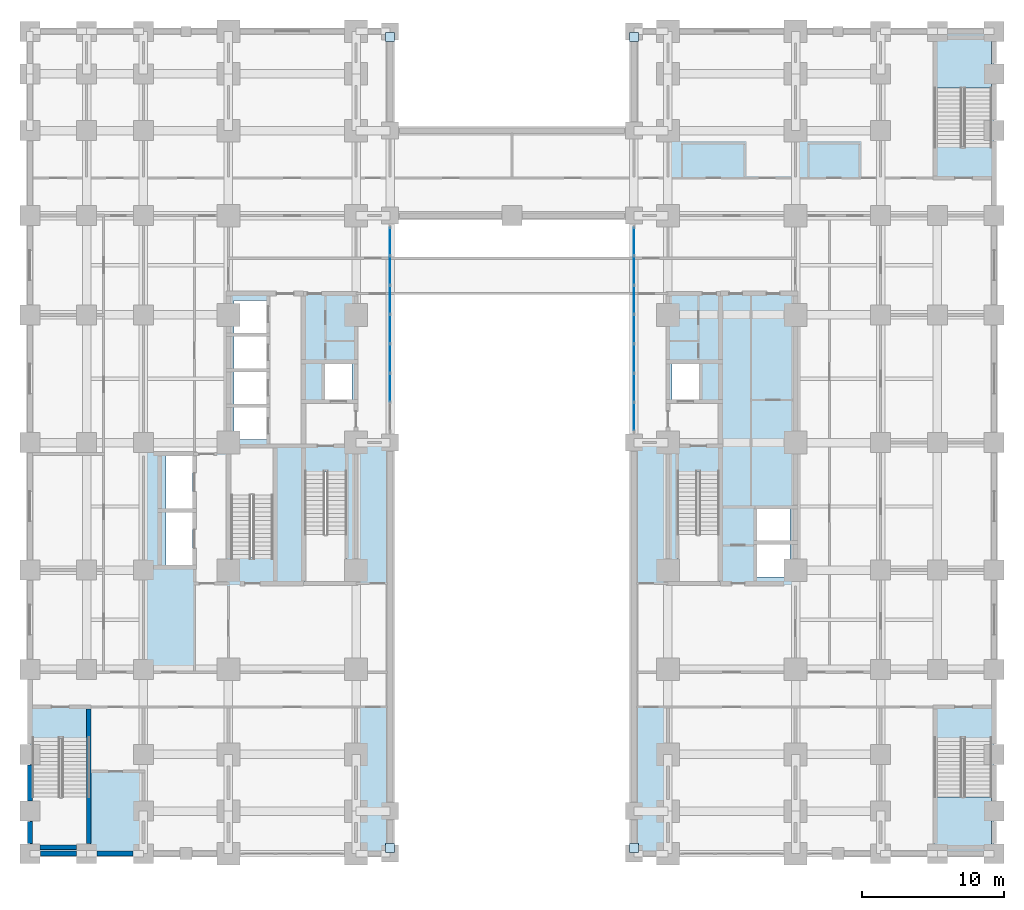
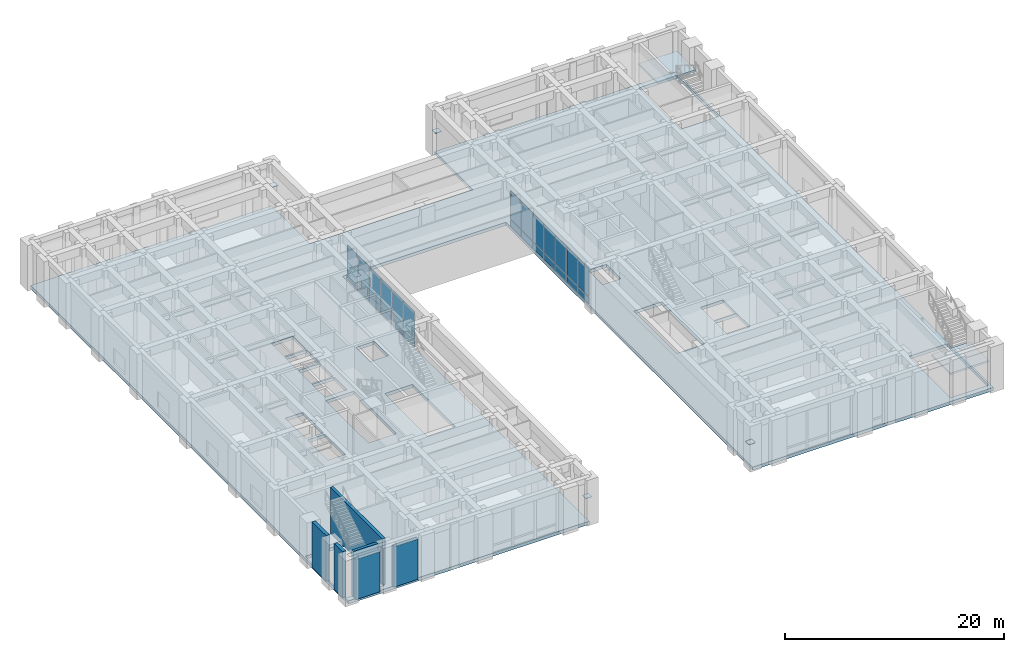
# One storey, part 7 of 21: 30 plates, 6 walls, 3 slabs, 4 elements without a shape of their own.
"""IFC4 building model written with IfcOpenShell, lengths in metres."""

from ifc_helpers import new_model, si_unit, direction, frame, frame_2d, origin, origin_2d, place, context, subcontext, project, spatial, polyline, rectangle, outline, extrude, material, layer, layer_set, type_object, element, aggregate, save


model = new_model("IFC4")

# Units and contexts
model_context = context("Model", 3, precision=1e-05, world=origin(), true_north=direction((0.0, 1.0)))
body_context = subcontext(model_context, "Body", "Model", "MODEL_VIEW")
ifc_project = project(units=[si_unit("LENGTHUNIT", "METRE"), si_unit("AREAUNIT", "SQUARE_METRE"), si_unit("VOLUMEUNIT", "CUBIC_METRE"), si_unit("PLANEANGLEUNIT", "RADIAN"), si_unit("MASSUNIT", "GRAM", prefix="KILO")], contexts=[model_context])

# Site, building, storey
site_placement = place(None, origin())
site = spatial("IfcSite", under=ifc_project, at=site_placement, CompositionType="ELEMENT")
building_placement = place(site_placement, origin())
building = spatial("IfcBuilding", under=site, at=building_placement, Name="Zulmaris Gate Convention Tower", CompositionType="ELEMENT")
storey_placement = place(building_placement, frame((0.0, 0.0, 5.43994140625)))
storey = spatial("IfcBuildingStorey", under=building, at=storey_placement, Name="L01", CompositionType="ELEMENT", Elevation=5.43994140625)

# Curtain wall, plates
ifc_material_1 = material(Name="Anodised Aluminium", Category="aluminium")
curtain_wall_type = type_object("IfcCurtainWallType", Name="CW-02", PredefinedType="NOTDEFINED", material=ifc_material_1)
curtain_wall_1_placement = place(storey_placement, origin())
curtain_wall_1 = element("IfcCurtainWall", 1, at=curtain_wall_1_placement, inside=storey, type_object=curtain_wall_type, Name="CW-02 CW02-L01-WL_0", PredefinedType="NOTDEFINED")
ifc_material_2 = material(Name="Low-E Double Glazing", Category="glass")
ifc_layer_1 = layer(ifc_material_2, 0.028076171875, Name="Low-E Double Glazing")
ifc_layer_set_1 = layer_set([ifc_layer_1], Name="Low-E Double Glazing")
plate_type_1 = type_object("IfcPlateType", Name="CW-02-VISION", PredefinedType="CURTAIN_PANEL", material=ifc_layer_set_1)
plate_1_placement = place(storey_placement, frame((-8.60009765625, 3.86279296875, 0.08984375), z_axis=(0.0, 0.0, 1.0), x_axis=(0.0, 1.0, 0.0)))
plate_1 = element("IfcPlate", 2, at=plate_1_placement, type_object=plate_type_1, Name="CW-02 panel 2.1", PredefinedType="CURTAIN_PANEL", context=body_context, shape_type="SweptSolid", body=[
    extrude(rectangle(XDim=1.978515625, YDim=0.028076171875, at=origin_2d()), origin(), (0.0, 0.0, 1.0), 0.715087890625),
])
plate_2_placement = place(storey_placement, frame((-8.60009765625, 3.86279296875, 0.89501953125), z_axis=(0.0, 0.0, 1.0), x_axis=(0.0, 1.0, 0.0)))
plate_2 = element("IfcPlate", 3, at=plate_2_placement, type_object=plate_type_1, Name="CW-02 panel 2.2", PredefinedType="CURTAIN_PANEL", context=body_context, shape_type="SweptSolid", body=[
    extrude(rectangle(XDim=1.978515625, YDim=0.028076171875, at=origin_2d()), origin(), (0.0, 0.0, 1.0), 3.14697265625),
])
plate_3_placement = place(storey_placement, frame((-8.60009765625, 5.931396484375, 0.08984375), z_axis=(0.0, 0.0, 1.0), x_axis=(0.0, 1.0, 0.0)))
plate_3 = element("IfcPlate", 4, at=plate_3_placement, type_object=plate_type_1, Name="CW-02 panel 3.1", PredefinedType="CURTAIN_PANEL", context=body_context, shape_type="SweptSolid", body=[
    extrude(rectangle(XDim=1.978515625, YDim=0.028076171875, at=origin_2d()), origin(), (0.0, 0.0, 1.0), 0.715087890625),
])
plate_4_placement = place(storey_placement, frame((-8.60009765625, 5.931396484375, 0.89501953125), z_axis=(0.0, 0.0, 1.0), x_axis=(0.0, 1.0, 0.0)))
plate_4 = element("IfcPlate", 5, at=plate_4_placement, type_object=plate_type_1, Name="CW-02 panel 3.2", PredefinedType="CURTAIN_PANEL", context=body_context, shape_type="SweptSolid", body=[
    extrude(rectangle(XDim=1.978515625, YDim=0.028076171875, at=origin_2d()), origin(), (0.0, 0.0, 1.0), 3.14697265625),
])
plate_5_placement = place(storey_placement, frame((-8.60009765625, 8.0, 0.08984375), z_axis=(0.0, 0.0, 1.0), x_axis=(0.0, 1.0, 0.0)))
plate_5 = element("IfcPlate", 6, at=plate_5_placement, type_object=plate_type_1, Name="CW-02 panel 4.1", PredefinedType="CURTAIN_PANEL", context=body_context, shape_type="SweptSolid", body=[
    extrude(rectangle(XDim=1.978515625, YDim=0.028076171875, at=origin_2d()), origin(), (0.0, 0.0, 1.0), 0.715087890625),
])
plate_6_placement = place(storey_placement, frame((-8.60009765625, 8.0, 0.89501953125), z_axis=(0.0, 0.0, 1.0), x_axis=(0.0, 1.0, 0.0)))
plate_6 = element("IfcPlate", 7, at=plate_6_placement, type_object=plate_type_1, Name="CW-02 panel 4.2", PredefinedType="CURTAIN_PANEL", context=body_context, shape_type="SweptSolid", body=[
    extrude(rectangle(XDim=1.978515625, YDim=0.028076171875, at=origin_2d()), origin(), (0.0, 0.0, 1.0), 3.14697265625),
])
plate_7_placement = place(storey_placement, frame((-8.60009765625, 10.068603515625, 0.08984375), z_axis=(0.0, 0.0, 1.0), x_axis=(0.0, 1.0, 0.0)))
plate_7 = element("IfcPlate", 8, at=plate_7_placement, type_object=plate_type_1, Name="CW-02 panel 5.1", PredefinedType="CURTAIN_PANEL", context=body_context, shape_type="SweptSolid", body=[
    extrude(rectangle(XDim=1.978515625, YDim=0.028076171875, at=origin_2d()), origin(), (0.0, 0.0, 1.0), 0.715087890625),
])
plate_8_placement = place(storey_placement, frame((-8.60009765625, 10.068603515625, 0.89501953125), z_axis=(0.0, 0.0, 1.0), x_axis=(0.0, 1.0, 0.0)))
plate_8 = element("IfcPlate", 9, at=plate_8_placement, type_object=plate_type_1, Name="CW-02 panel 5.2", PredefinedType="CURTAIN_PANEL", context=body_context, shape_type="SweptSolid", body=[
    extrude(rectangle(XDim=1.978515625, YDim=0.028076171875, at=origin_2d()), origin(), (0.0, 0.0, 1.0), 3.14697265625),
])
plate_9_placement = place(storey_placement, frame((-8.60009765625, 12.13720703125, 0.08984375), z_axis=(0.0, 0.0, 1.0), x_axis=(0.0, 1.0, 0.0)))
plate_9 = element("IfcPlate", 10, at=plate_9_placement, type_object=plate_type_1, Name="CW-02 panel 6.1", PredefinedType="CURTAIN_PANEL", context=body_context, shape_type="SweptSolid", body=[
    extrude(rectangle(XDim=1.978515625, YDim=0.028076171875, at=origin_2d()), origin(), (0.0, 0.0, 1.0), 0.715087890625),
])
plate_10_placement = place(storey_placement, frame((-8.60009765625, 12.13720703125, 0.89501953125), z_axis=(0.0, 0.0, 1.0), x_axis=(0.0, 1.0, 0.0)))
plate_10 = element("IfcPlate", 11, at=plate_10_placement, type_object=plate_type_1, Name="CW-02 panel 6.2", PredefinedType="CURTAIN_PANEL", context=body_context, shape_type="SweptSolid", body=[
    extrude(rectangle(XDim=1.978515625, YDim=0.028076171875, at=origin_2d()), origin(), (0.0, 0.0, 1.0), 3.14697265625),
])
plate_11_placement = place(storey_placement, frame((-8.60009765625, 14.18310546875, 0.08984375), z_axis=(0.0, 0.0, 1.0), x_axis=(0.0, 1.0, 0.0)))
plate_11 = element("IfcPlate", 12, at=plate_11_placement, type_object=plate_type_1, Name="CW-02 panel 7.1", PredefinedType="CURTAIN_PANEL", context=body_context, shape_type="SweptSolid", body=[
    extrude(rectangle(XDim=1.93359375, YDim=0.028076171875, at=origin_2d()), origin(), (0.0, 0.0, 1.0), 0.715087890625),
])
plate_12_placement = place(storey_placement, frame((-8.60009765625, 14.18310546875, 0.89501953125), z_axis=(0.0, 0.0, 1.0), x_axis=(0.0, 1.0, 0.0)))
plate_12 = element("IfcPlate", 13, at=plate_12_placement, type_object=plate_type_1, Name="CW-02 panel 7.2", PredefinedType="CURTAIN_PANEL", context=body_context, shape_type="SweptSolid", body=[
    extrude(rectangle(XDim=1.93359375, YDim=0.028076171875, at=origin_2d()), origin(), (0.0, 0.0, 1.0), 3.14697265625),
])
aggregate(curtain_wall_1, [plate_1, plate_2, plate_3, plate_4, plate_5, plate_6, plate_7, plate_8, plate_9, plate_10, plate_11, plate_12])

curtain_wall_2_placement = place(storey_placement, origin())
curtain_wall_2 = element("IfcCurtainWall", 14, at=curtain_wall_2_placement, inside=storey, type_object=curtain_wall_type, Name="CW-02 CW02-L01-EL_0", PredefinedType="NOTDEFINED")
plate_13_placement = place(storey_placement, frame((8.60009765625, 14.18310546875, 0.08984375), z_axis=(0.0, 0.0, 1.0), x_axis=(0.0, -1.0, 0.0)))
plate_13 = element("IfcPlate", 15, at=plate_13_placement, type_object=plate_type_1, Name="CW-02 panel 1.1", PredefinedType="CURTAIN_PANEL", context=body_context, shape_type="SweptSolid", body=[
    extrude(rectangle(XDim=1.93359375, YDim=0.028076171875, at=origin_2d()), origin(), (0.0, 0.0, 1.0), 0.715087890625),
])
plate_14_placement = place(storey_placement, frame((8.60009765625, 14.18310546875, 0.89501953125), z_axis=(0.0, 0.0, 1.0), x_axis=(0.0, -1.0, 0.0)))
plate_14 = element("IfcPlate", 16, at=plate_14_placement, type_object=plate_type_1, Name="CW-02 panel 1.2", PredefinedType="CURTAIN_PANEL", context=body_context, shape_type="SweptSolid", body=[
    extrude(rectangle(XDim=1.93359375, YDim=0.028076171875, at=origin_2d()), origin(), (0.0, 0.0, 1.0), 3.14697265625),
])
plate_15_placement = place(storey_placement, frame((8.60009765625, 12.13720703125, 0.08984375), z_axis=(0.0, 0.0, 1.0), x_axis=(0.0, -1.0, 0.0)))
plate_15 = element("IfcPlate", 17, at=plate_15_placement, type_object=plate_type_1, Name="CW-02 panel 2.1", PredefinedType="CURTAIN_PANEL", context=body_context, shape_type="SweptSolid", body=[
    extrude(rectangle(XDim=1.978515625, YDim=0.028076171875, at=origin_2d()), origin(), (0.0, 0.0, 1.0), 0.715087890625),
])
plate_16_placement = place(storey_placement, frame((8.60009765625, 12.13720703125, 0.89501953125), z_axis=(0.0, 0.0, 1.0), x_axis=(0.0, -1.0, 0.0)))
plate_16 = element("IfcPlate", 18, at=plate_16_placement, type_object=plate_type_1, Name="CW-02 panel 2.2", PredefinedType="CURTAIN_PANEL", context=body_context, shape_type="SweptSolid", body=[
    extrude(rectangle(XDim=1.978515625, YDim=0.028076171875, at=origin_2d()), origin(), (0.0, 0.0, 1.0), 3.14697265625),
])
plate_17_placement = place(storey_placement, frame((8.60009765625, 10.068603515625, 0.08984375), z_axis=(0.0, 0.0, 1.0), x_axis=(0.0, -1.0, 0.0)))
plate_17 = element("IfcPlate", 19, at=plate_17_placement, type_object=plate_type_1, Name="CW-02 panel 3.1", PredefinedType="CURTAIN_PANEL", context=body_context, shape_type="SweptSolid", body=[
    extrude(rectangle(XDim=1.978515625, YDim=0.028076171875, at=origin_2d()), origin(), (0.0, 0.0, 1.0), 0.715087890625),
])
plate_18_placement = place(storey_placement, frame((8.60009765625, 10.068603515625, 0.89501953125), z_axis=(0.0, 0.0, 1.0), x_axis=(0.0, -1.0, 0.0)))
plate_18 = element("IfcPlate", 20, at=plate_18_placement, type_object=plate_type_1, Name="CW-02 panel 3.2", PredefinedType="CURTAIN_PANEL", context=body_context, shape_type="SweptSolid", body=[
    extrude(rectangle(XDim=1.978515625, YDim=0.028076171875, at=origin_2d()), origin(), (0.0, 0.0, 1.0), 3.14697265625),
])
plate_19_placement = place(storey_placement, frame((8.60009765625, 8.0, 0.08984375), z_axis=(0.0, 0.0, 1.0), x_axis=(0.0, -1.0, 0.0)))
plate_19 = element("IfcPlate", 21, at=plate_19_placement, type_object=plate_type_1, Name="CW-02 panel 4.1", PredefinedType="CURTAIN_PANEL", context=body_context, shape_type="SweptSolid", body=[
    extrude(rectangle(XDim=1.978515625, YDim=0.028076171875, at=origin_2d()), origin(), (0.0, 0.0, 1.0), 0.715087890625),
])
plate_20_placement = place(storey_placement, frame((8.60009765625, 8.0, 0.89501953125), z_axis=(0.0, 0.0, 1.0), x_axis=(0.0, -1.0, 0.0)))
plate_20 = element("IfcPlate", 22, at=plate_20_placement, type_object=plate_type_1, Name="CW-02 panel 4.2", PredefinedType="CURTAIN_PANEL", context=body_context, shape_type="SweptSolid", body=[
    extrude(rectangle(XDim=1.978515625, YDim=0.028076171875, at=origin_2d()), origin(), (0.0, 0.0, 1.0), 3.14697265625),
])
plate_21_placement = place(storey_placement, frame((8.60009765625, 5.931396484375, 0.08984375), z_axis=(0.0, 0.0, 1.0), x_axis=(0.0, -1.0, 0.0)))
plate_21 = element("IfcPlate", 23, at=plate_21_placement, type_object=plate_type_1, Name="CW-02 panel 5.1", PredefinedType="CURTAIN_PANEL", context=body_context, shape_type="SweptSolid", body=[
    extrude(rectangle(XDim=1.978515625, YDim=0.028076171875, at=origin_2d()), origin(), (0.0, 0.0, 1.0), 0.715087890625),
])
plate_22_placement = place(storey_placement, frame((8.60009765625, 5.931396484375, 0.89501953125), z_axis=(0.0, 0.0, 1.0), x_axis=(0.0, -1.0, 0.0)))
plate_22 = element("IfcPlate", 24, at=plate_22_placement, type_object=plate_type_1, Name="CW-02 panel 5.2", PredefinedType="CURTAIN_PANEL", context=body_context, shape_type="SweptSolid", body=[
    extrude(rectangle(XDim=1.978515625, YDim=0.028076171875, at=origin_2d()), origin(), (0.0, 0.0, 1.0), 3.14697265625),
])
plate_23_placement = place(storey_placement, frame((8.60009765625, 3.86279296875, 0.08984375), z_axis=(0.0, 0.0, 1.0), x_axis=(0.0, -1.0, 0.0)))
plate_23 = element("IfcPlate", 25, at=plate_23_placement, type_object=plate_type_1, Name="CW-02 panel 6.1", PredefinedType="CURTAIN_PANEL", context=body_context, shape_type="SweptSolid", body=[
    extrude(rectangle(XDim=1.978515625, YDim=0.028076171875, at=origin_2d()), origin(), (0.0, 0.0, 1.0), 0.715087890625),
])
plate_24_placement = place(storey_placement, frame((8.60009765625, 3.86279296875, 0.89501953125), z_axis=(0.0, 0.0, 1.0), x_axis=(0.0, -1.0, 0.0)))
plate_24 = element("IfcPlate", 26, at=plate_24_placement, type_object=plate_type_1, Name="CW-02 panel 6.2", PredefinedType="CURTAIN_PANEL", context=body_context, shape_type="SweptSolid", body=[
    extrude(rectangle(XDim=1.978515625, YDim=0.028076171875, at=origin_2d()), origin(), (0.0, 0.0, 1.0), 3.14697265625),
])
plate_25_placement = place(storey_placement, frame((8.60009765625, 1.81689453125, 0.08984375), z_axis=(0.0, 0.0, 1.0), x_axis=(0.0, -1.0, 0.0)))
plate_25 = element("IfcPlate", 27, at=plate_25_placement, type_object=plate_type_1, Name="CW-02 panel 7.1", PredefinedType="CURTAIN_PANEL", context=body_context, shape_type="SweptSolid", body=[
    extrude(rectangle(XDim=1.93359375, YDim=0.028076171875, at=origin_2d()), origin(), (0.0, 0.0, 1.0), 0.715087890625),
])
plate_26_placement = place(storey_placement, frame((8.60009765625, 1.81689453125, 0.89501953125), z_axis=(0.0, 0.0, 1.0), x_axis=(0.0, -1.0, 0.0)))
plate_26 = element("IfcPlate", 28, at=plate_26_placement, type_object=plate_type_1, Name="CW-02 panel 7.2", PredefinedType="CURTAIN_PANEL", context=body_context, shape_type="SweptSolid", body=[
    extrude(rectangle(XDim=1.93359375, YDim=0.028076171875, at=origin_2d()), origin(), (0.0, 0.0, 1.0), 3.14697265625),
])
aggregate(curtain_wall_2, [plate_13, plate_14, plate_15, plate_16, plate_17, plate_18, plate_19, plate_20, plate_21, plate_22, plate_23, plate_24, plate_25, plate_26])

# Plates
ifc_material_3 = material(Name="Steel S460", Category="steel")
ifc_layer_2 = layer(ifc_material_3, 0.034912109375, Name="Steel S460")
ifc_layer_set_2 = layer_set([ifc_layer_2], Name="Steel S460")
plate_type_2 = type_object("IfcPlateType", Name="NP-GUS-650", PredefinedType="USERDEFINED", material=ifc_layer_set_2)
for number, where, z_axis, x_axis, name in (
    (29, (-8.60009765625, -28.60009765625, 2.54248046875), (0.0, 0.0, 1.0), (1.0, 0.0, 0.0), "L01 Steel Node Plate ARCH-RIB-S-1-GP"),
    (30, (8.60009765625, -28.60009765625, 2.54248046875), (0.0, 0.0, 1.0), (1.0, 0.0, 0.0), "L01 Steel Node Plate ARCH-RIB-S-6-GPB"),
    (31, (-8.60009765625, 28.60009765625, 2.54248046875), (0.0, 0.0, 1.0), (1.0, 0.0, 0.0), "L01 Steel Node Plate ARCH-RIB-N-1-GP"),
    (32, (8.60009765625, 28.60009765625, 2.54248046875), (0.0, 0.0, 1.0), (1.0, 0.0, 0.0), "L01 Steel Node Plate ARCH-RIB-N-6-GPB"),
):
    element("IfcPlate", number, at=place(storey_placement, frame(where, z_axis=z_axis, x_axis=x_axis)), inside=storey, type_object=plate_type_2, Name=name, ObjectType="GUSSET PLATE", PredefinedType="USERDEFINED", context=body_context, shape_type="SweptSolid", body=[
        extrude(rectangle(XDim=0.64990234375, YDim=0.64990234375, at=origin_2d()), origin(), (0.0, 0.0, 1.0), 0.034912109375),
    ])

# Slab
ifc_material_4 = material(Name="Concrete C50/60", Category="concrete")
ifc_layer_3 = layer(ifc_material_4, 0.35009765625, Name="Concrete C50/60")
ifc_layer_set_3 = layer_set([ifc_layer_3], Name="Concrete C50/60")
slab_type_1 = type_object("IfcSlabType", Name="SL-FLR-350", PredefinedType="FLOOR", material=ifc_layer_set_3)
slab_1_placement = place(storey_placement, frame((0.0, 0.0, -0.35009765625)))
element("IfcSlab", 33, at=slab_1_placement, inside=storey, type_object=slab_type_1, Name="L01 Convention Podium Floor Slab", PredefinedType="FLOOR", context=body_context, shape_type="SweptSolid", body=[
    extrude(outline(polyline([(-34.0, -29.0), (-8.60009765625, -29.0), (-8.60009765625, 16.0), (8.60009765625, 16.0), (8.60009765625, -29.0), (34.0, -29.0), (34.0, 29.0), (8.60009765625, 29.0), (8.60009765625, 22.0), (-8.60009765625, 22.0), (-8.60009765625, 29.0), (-34.0, 29.0), (-34.0, -29.0)]), holes=[polyline([(-14.6201171875, -2.080078125), (-14.6201171875, -9.85009765625), (-11.659912109375, -9.85009765625), (-11.659912109375, -2.080078125), (-14.6201171875, -2.080078125)]), polyline([(11.659912109375, -2.080078125), (11.659912109375, -9.85009765625), (14.6201171875, -9.85009765625), (14.6201171875, -2.080078125), (11.659912109375, -2.080078125)]), polyline([(-16.860107421875, -8.1201171875), (-16.860107421875, -0.35009765625), (-19.820068359375, -0.35009765625), (-19.820068359375, -8.1201171875), (-16.860107421875, -8.1201171875)]), polyline([(-33.830078125, -20.8798828125), (-33.830078125, -28.449951171875), (-29.780029296875, -28.449951171875), (-29.780029296875, -20.8798828125), (-33.830078125, -20.8798828125)]), polyline([(33.830078125, 20.8798828125), (33.830078125, 28.449951171875), (29.780029296875, 28.449951171875), (29.780029296875, 20.8798828125), (33.830078125, 20.8798828125)]), polyline([(29.780029296875, -20.8798828125), (29.780029296875, -28.449951171875), (33.830078125, -28.449951171875), (33.830078125, -20.8798828125), (29.780029296875, -20.8798828125)]), polyline([(-13.199951171875, 3.0), (-11.300048828125, 3.0), (-11.300048828125, 5.60009765625), (-13.199951171875, 5.60009765625), (-13.199951171875, 3.0)]), polyline([(11.300048828125, 3.0), (13.199951171875, 3.0), (13.199951171875, 5.60009765625), (11.300048828125, 5.60009765625), (11.300048828125, 3.0)]), polyline([(-19.60009765625, 0.199951171875), (-17.300048828125, 0.199951171875), (-17.300048828125, 2.5), (-19.60009765625, 2.5), (-19.60009765625, 0.199951171875)]), polyline([(-19.60009765625, 2.699951171875), (-17.300048828125, 2.699951171875), (-17.300048828125, 5.0), (-19.60009765625, 5.0), (-19.60009765625, 2.699951171875)]), polyline([(-19.60009765625, 5.199951171875), (-17.300048828125, 5.199951171875), (-17.300048828125, 7.5), (-19.60009765625, 7.5), (-19.60009765625, 5.199951171875)]), polyline([(-19.60009765625, 7.699951171875), (-17.300048828125, 7.699951171875), (-17.300048828125, 10.0), (-19.60009765625, 10.0), (-19.60009765625, 7.699951171875)]), polyline([(17.199951171875, -9.5), (19.60009765625, -9.5), (19.60009765625, -7.10009765625), (17.199951171875, -7.10009765625), (17.199951171875, -9.5)]), polyline([(17.199951171875, -7.0), (19.60009765625, -7.0), (19.60009765625, -4.60009765625), (17.199951171875, -4.60009765625), (17.199951171875, -7.0)]), polyline([(-24.39990234375, -8.64990234375), (-22.550048828125, -8.64990234375), (-22.550048828125, -4.949951171875), (-24.39990234375, -4.949951171875), (-24.39990234375, -8.64990234375)]), polyline([(-24.39990234375, -4.64990234375), (-22.550048828125, -4.64990234375), (-22.550048828125, -0.949951171875), (-24.39990234375, -0.949951171875), (-24.39990234375, -4.64990234375)])]), origin(), (0.0, 0.0, 1.0), 0.35009765625),
])

# Stair, slab
ifc_material_5 = material(Name="Concrete C45/55", Category="concrete")
stair_type = type_object("IfcStairType", Name="ST-POD-DOGLEG", PredefinedType="HALF_TURN_STAIR", material=ifc_material_5)
stair_1_placement = place(storey_placement, origin())
stair_1 = element("IfcStair", 34, at=stair_1_placement, inside=storey, type_object=stair_type, Name="L01 Podium Exit Stair ST-5", PredefinedType="HALF_TURN_STAIR")
ifc_layer_4 = layer(ifc_material_5, 0.199951171875, Name="Concrete C45/55")
ifc_layer_set_4 = layer_set([ifc_layer_4], Name="Concrete C45/55")
slab_type_2 = type_object("IfcSlabType", Name="SL-LND-200", PredefinedType="LANDING", material=ifc_layer_set_4)
slab_2_placement = place(storey_placement, frame((0.0, 0.0, 2.52001953125)))
slab_2 = element("IfcSlab", 35, at=slab_2_placement, type_object=slab_type_2, Name="ST-5 landing 1", PredefinedType="LANDING", context=body_context, shape_type="SweptSolid", body=[
    extrude(outline(polyline([(33.830078125, 25.0), (33.830078125, 28.449951171875), (29.780029296875, 28.449951171875), (29.780029296875, 25.0), (33.830078125, 25.0)])), origin(), (0.0, 0.0, 1.0), 0.199951171875),
])
aggregate(stair_1, [slab_2])

stair_2_placement = place(storey_placement, origin())
stair_2 = element("IfcStair", 36, at=stair_2_placement, inside=storey, type_object=stair_type, Name="L01 Podium Exit Stair ST-6", PredefinedType="HALF_TURN_STAIR")
slab_3_placement = place(storey_placement, frame((0.0, 0.0, 2.52001953125)))
slab_3 = element("IfcSlab", 37, at=slab_3_placement, type_object=slab_type_2, Name="ST-6 landing 1", PredefinedType="LANDING", context=body_context, shape_type="SweptSolid", body=[
    extrude(outline(polyline([(29.780029296875, -25.0), (29.780029296875, -28.449951171875), (33.830078125, -28.449951171875), (33.830078125, -25.0), (29.780029296875, -25.0)])), origin(), (0.0, 0.0, 1.0), 0.199951171875),
])
aggregate(stair_2, [slab_3])

# Walls
ifc_layer_5 = layer(ifc_material_4, 0.300048828125, Name="Concrete C50/60")
ifc_layer_set_5 = layer_set([ifc_layer_5], Name="Concrete C50/60")
wall_type_1 = type_object("IfcWallType", Name="CORE-300", PredefinedType="SHEAR", material=ifc_layer_set_5)
wall_1_placement = place(storey_placement, frame((-33.2958984375, -28.550048828125, 0.0), z_axis=(0.0, 0.0, 1.0), x_axis=(1.0, 0.0, 0.0)))
element("IfcWall", 38, at=wall_1_placement, inside=storey, type_object=wall_type_1, Name="WL-L01-001", PredefinedType="SHEAR", context=body_context, shape_type="SweptSolid", body=[
    extrude(rectangle(XDim=2.591796875, YDim=0.300048828125, at=frame_2d((1.2958984375, 0.0))), origin(), (0.0, 0.0, 1.0), 5.08984375),
])
wall_2_placement = place(storey_placement, frame((-29.85009765625, -28.2958984375, 0.0), z_axis=(0.0, 0.0, 1.0), x_axis=(0.0, 1.0, 0.0)))
element("IfcWall", 39, at=wall_2_placement, inside=storey, type_object=wall_type_1, Name="WL-L01-068", PredefinedType="SHEAR", context=body_context, shape_type="SweptSolid", body=[
    extrude(rectangle(XDim=9.493896484375, YDim=0.300048828125, at=frame_2d((4.7470703125, 0.0))), origin(), (0.0, 0.0, 1.0), 5.08984375),
])
ifc_material_6 = material(Name="Precast concrete C45/55", Category="concrete")
ifc_layer_6 = layer(ifc_material_6, 0.35009765625, Name="Precast concrete C45/55")
ifc_layer_set_6 = layer_set([ifc_layer_6], Name="Precast concrete C45/55")
wall_type_2 = type_object("IfcWallType", Name="PRECAST-POD-350", PredefinedType="STANDARD", material=ifc_layer_set_6)
for number, where, z_axis, x_axis, name in (
    (40, (-33.27001953125, -29.0, 0.0), (0.0, 0.0, 1.0), (1.0, 0.0, 0.0), "EW-L01-S--340_0"),
    (41, (-29.27001953125, -29.0, 0.0), (0.0, 0.0, 1.0), (1.0, 0.0, 0.0), "EW-L01-S--300_0"),
):
    element("IfcWall", number, at=place(storey_placement, frame(where, z_axis=z_axis, x_axis=x_axis)), inside=storey, type_object=wall_type_2, Name=name, PredefinedType="STANDARD", context=body_context, shape_type="SweptSolid", body=[
        extrude(rectangle(XDim=2.5400390625, YDim=0.35009765625, at=frame_2d((1.27001953125, 0.0))), origin(), (0.0, 0.0, 1.0), 4.48193359375),
    ])
wall_3_placement = place(storey_placement, frame((-34.0, -28.27001953125, 0.0), z_axis=(0.0, 0.0, 1.0), x_axis=(0.0, 1.0, 0.0)))
element("IfcWall", 42, at=wall_3_placement, inside=storey, type_object=wall_type_2, Name="EW-L01-W--29_0", PredefinedType="STANDARD", context=body_context, shape_type="SweptSolid", body=[
    extrude(rectangle(XDim=1.5400390625, YDim=0.35009765625, at=frame_2d((0.77001953125, 0.0))), origin(), (0.0, 0.0, 1.0), 5.08984375),
])
wall_4_placement = place(storey_placement, frame((-34.0, -25.27001953125, 0.0), z_axis=(0.0, 0.0, 1.0), x_axis=(0.0, 1.0, 0.0)))
element("IfcWall", 43, at=wall_4_placement, inside=storey, type_object=wall_type_2, Name="EW-L01-W--26_0", PredefinedType="STANDARD", context=body_context, shape_type="SweptSolid", body=[
    extrude(rectangle(XDim=2.5400390625, YDim=0.35009765625, at=frame_2d((1.27001953125, 0.0))), origin(), (0.0, 0.0, 1.0), 5.08984375),
])

save(model, "model.ifc")
